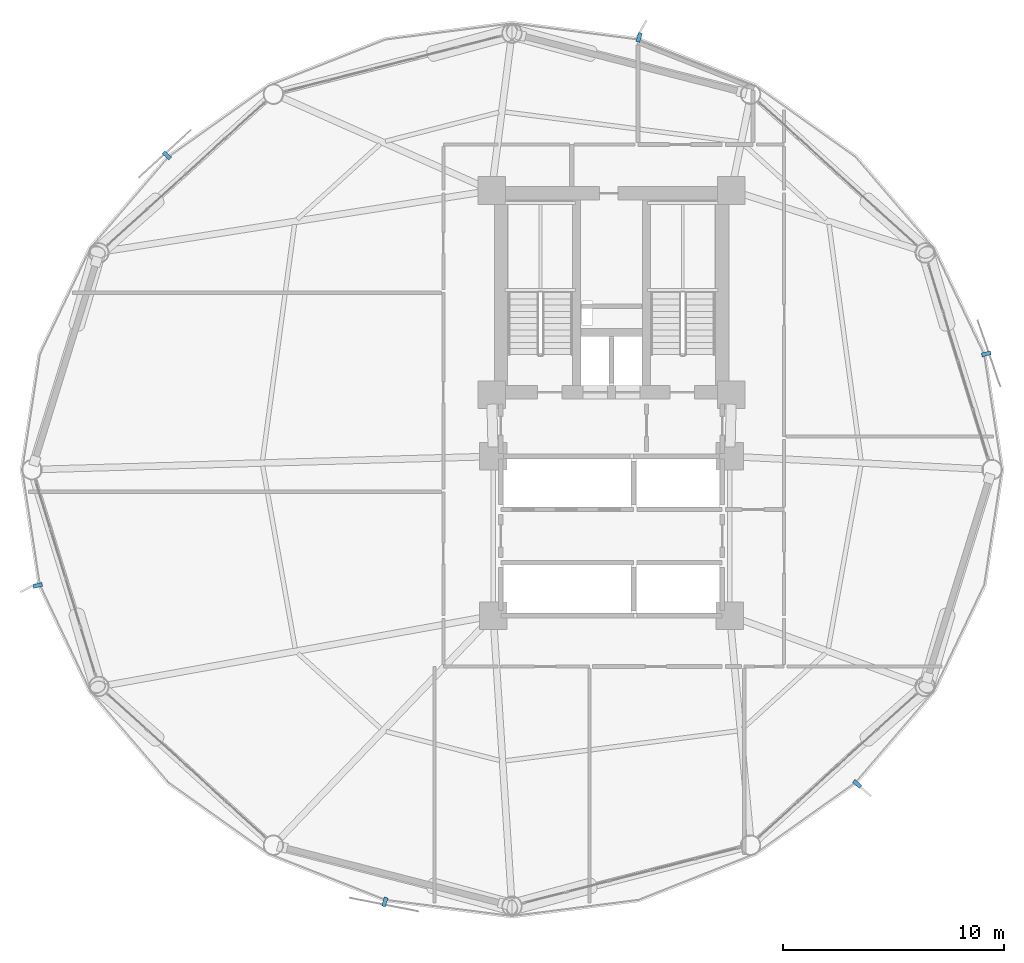
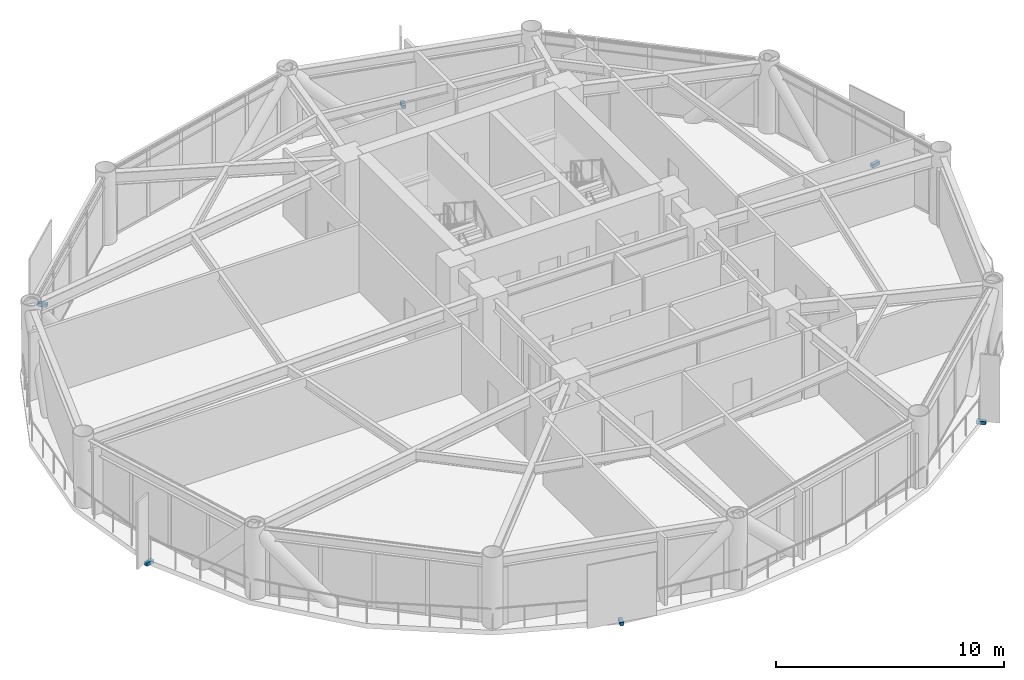
# One storey, part 22 of 25: 6 discrete accessories.
"""IFC4 building model written with IfcOpenShell, lengths in metres."""

import ifcopenshell
import ifcopenshell.guid

model = None  # the IFC model being written
_history = None  # IfcOwnerHistory: only IFC2X3 demands one
_inside = {}  # id of a spatial element -> (the spatial element, [elements in it])
_under = {}  # id of a project, library or spatial element -> (it, [spatial elements below it])
_declared = {}  # id of a project -> (the project, [libraries it declares])
_typed = {}  # id of a type object -> (the type object, [elements of that type])
_made_of = {}  # id of a material, layer set ... -> (it, [elements and type objects made of it])


def new_model(schema):
    """Start an empty IFC model of exactly this schema.

    Asked for "IFC4X3", IfcOpenShell would pick the latest addendum, in which some entities
    have other attributes; the version numbers below select the first issue.
    IFC2X3 requires an IfcOwnerHistory on every rooted entity: one is made here for all.
    """
    global model, _history
    if schema == "IFC4X3":
        model = ifcopenshell.file(schema_version=(4, 3, 0, 0))
    else:
        model = ifcopenshell.file(schema=schema)
    _inside.clear()
    _under.clear()
    _declared.clear()
    _typed.clear()
    _made_of.clear()
    _history = None
    if model.schema == "IFC2X3":
        org = make("IfcOrganization", Name="unknown")
        user = make(
            "IfcPersonAndOrganization",
            ThePerson=make("IfcPerson", FamilyName="unknown"),
            TheOrganization=org,
        )
        app = make(
            "IfcApplication",
            ApplicationDeveloper=org,
            Version="unknown",
            ApplicationFullName="unknown",
            ApplicationIdentifier="unknown",
        )
        _history = make(
            "IfcOwnerHistory",
            OwningUser=user,
            OwningApplication=app,
            ChangeAction="ADDED",
            CreationDate=0,
        )
    return model


def make(cls, **values):
    """One entity of the class cls with the attributes given. An attribute that is None is left unset."""
    return model.create_entity(
        cls, **{name: value for name, value in values.items() if value is not None}
    )


def rooted(cls, **values):
    """An entity with a GlobalId (a new one), such as an element, a storey or a relation."""
    return make(cls, GlobalId=ifcopenshell.guid.new(), OwnerHistory=_history, **values)


def si_unit(unit_type, name, prefix=None):
    """IfcSIUnit, for example si_unit("LENGTHUNIT", "METRE", prefix="MILLI")."""
    return make("IfcSIUnit", UnitType=unit_type, Prefix=prefix, Name=name)


def assignment(units):
    """IfcUnitAssignment: the units of a project."""
    return None if units is None else make("IfcUnitAssignment", Units=units)


def point(xyz):
    """IfcCartesianPoint."""
    return None if xyz is None else make("IfcCartesianPoint", Coordinates=xyz)


def direction(xyz):
    """IfcDirection."""
    return None if xyz is None else make("IfcDirection", DirectionRatios=xyz)


def frame(location, z_axis=None, x_axis=None):
    """IfcAxis2Placement3D, a coordinate frame: its origin and axes. An axis left out is left unset."""
    return make(
        "IfcAxis2Placement3D",
        Location=point(location),
        Axis=direction(z_axis),
        RefDirection=direction(x_axis),
    )


def frame_2d(location, x_axis=None):
    """IfcAxis2Placement2D, a coordinate frame in the plane: its origin and x axis."""
    return make(
        "IfcAxis2Placement2D", Location=point(location), RefDirection=direction(x_axis)
    )


def origin():
    """The frame at (0, 0, 0) with its axes left unset."""
    return frame((0.0, 0.0, 0.0))


def origin_2d():
    """The frame at (0, 0) in the plane with its x axis left unset."""
    return frame_2d((0.0, 0.0))


def place(relative_to, where):
    """IfcLocalPlacement: puts the frame where relative to a parent placement (None: the world)."""
    return make(
        "IfcLocalPlacement", PlacementRelTo=relative_to, RelativePlacement=where
    )


def context(
    kind, dimensions, precision=None, world=None, true_north=None, identifier=None
):
    """IfcGeometricRepresentationContext, for example the 3D "Model" context."""
    return make(
        "IfcGeometricRepresentationContext",
        ContextIdentifier=identifier,
        ContextType=kind,
        CoordinateSpaceDimension=dimensions,
        Precision=precision,
        WorldCoordinateSystem=world,
        TrueNorth=true_north,
    )


def subcontext(parent, identifier, kind, view, scale=None):
    """IfcGeometricRepresentationSubContext, for example "Body" below "Model"."""
    return make(
        "IfcGeometricRepresentationSubContext",
        ContextIdentifier=identifier,
        ContextType=kind,
        ParentContext=parent,
        TargetScale=scale,
        TargetView=view,
    )


def project(units=None, contexts=None):
    """IfcProject with its units and contexts."""
    return rooted(
        "IfcProject",
        Name="project",
        RepresentationContexts=contexts,
        UnitsInContext=assignment(units),
    )


def spatial(cls, under=None, at=None, **own):
    """A site, building, storey or space (cls), placed at a placement, below another one or the project."""
    s = rooted(cls, ObjectPlacement=at, **own)
    if under is not None:
        _under.setdefault(under.id(), (under, []))[1].append(s)
    return s


def profile(cls, at=None, kind="AREA", **sizes):
    """A parametric profile (cls). Its sizes go by their IFC names, for example OverallWidth=200.0."""
    return make(cls, ProfileType=kind, Position=at, **sizes)


def rectangle(**sizes):
    """IfcRectangleProfileDef."""
    return profile("IfcRectangleProfileDef", **sizes)


def extrude(swept, where, along, depth):
    """IfcExtrudedAreaSolid: the profile swept, set in the frame where, extruded along a direction by depth."""
    return make(
        "IfcExtrudedAreaSolid",
        SweptArea=swept,
        Position=where,
        ExtrudedDirection=direction(along),
        Depth=depth,
    )


def shape(context_of_items, identifier, shape_type, items):
    """IfcShapeRepresentation: the items that make up one representation, for example the "Body"."""
    return make(
        "IfcShapeRepresentation",
        ContextOfItems=context_of_items,
        RepresentationIdentifier=identifier,
        RepresentationType=shape_type,
        Items=items,
    )


def source(mapping_origin, context_of_items, identifier, shape_type, items):
    """IfcRepresentationMap: a shape defined once, which mapped items show again and again."""
    return make(
        "IfcRepresentationMap",
        MappingOrigin=mapping_origin,
        MappedRepresentation=shape(context_of_items, identifier, shape_type, items),
    )


def transform(
    local_origin,
    x_axis=None,
    y_axis=None,
    z_axis=None,
    scale=None,
    scale2=None,
    scale3=None,
    uniform=True,
):
    """IfcCartesianTransformationOperator3D, or its non-uniform kind. x_axis, y_axis, z_axis: its Axis1, 2, 3."""
    if uniform:
        return make(
            "IfcCartesianTransformationOperator3D",
            Axis1=direction(x_axis),
            Axis2=direction(y_axis),
            LocalOrigin=point(local_origin),
            Scale=scale,
            Axis3=direction(z_axis),
        )
    return make(
        "IfcCartesianTransformationOperator3DnonUniform",
        Axis1=direction(x_axis),
        Axis2=direction(y_axis),
        LocalOrigin=point(local_origin),
        Scale=scale,
        Axis3=direction(z_axis),
        Scale2=scale2,
        Scale3=scale3,
    )


def mapped(mapping_source, mapping_target):
    """IfcMappedItem: shows the shape of a source again, moved by a transform."""
    return make(
        "IfcMappedItem", MappingSource=mapping_source, MappingTarget=mapping_target
    )


def material(Name=None, Category=None):
    """IfcMaterial."""
    return make("IfcMaterial", Name=Name, Category=Category)


def made_of(thing, what):
    """Note that an element or type object is made of a material, layer set ...; save() writes the relation."""
    if what is not None:
        _made_of.setdefault(what.id(), (what, []))[1].append(thing)
    return thing


def type_object(cls, material=None, **own):
    """A type object (cls), such as IfcWallType, which elements share."""
    return made_of(rooted(cls, **own), material)


def type_shapes(of_type, sources):
    """Give a type object the sources (RepresentationMaps) that its elements show as mapped items."""
    of_type.RepresentationMaps = sources


def element(
    cls,
    number,
    at=None,
    inside=None,
    cuts=None,
    type_object=None,
    material=None,
    context=None,
    identifier="Body",
    shape_type=None,
    held_by="IfcProductDefinitionShape",
    body=None,
    shapes=None,
    **own,
):
    """One element of the class cls, such as IfcWall. Its Tag is "e" and its number.

    at: its placement. inside: the storey or other place that contains it. cuts: it is an
    opening in that element (IfcRelVoidsElement). A single representation is given by context,
    identifier, shape_type and body (its items); several are given by shapes. held_by: the class
    of the entity that holds the representations. save() writes the other relations.
    """
    e = rooted(cls, Tag="e%d" % number, ObjectPlacement=at, **own)
    if body is not None:
        shapes = [shape(context, identifier, shape_type, body)]
    if shapes is not None:
        e.Representation = make(held_by, Representations=shapes)
    if inside is not None:
        _inside.setdefault(inside.id(), (inside, []))[1].append(e)
    if cuts is not None:
        rooted(
            "IfcRelVoidsElement", RelatingBuildingElement=cuts, RelatedOpeningElement=e
        )
    if type_object is not None:
        _typed.setdefault(type_object.id(), (type_object, []))[1].append(e)
    return made_of(e, material)


def aggregate(whole, parts):
    """IfcRelAggregates: a whole, such as a stair, and the parts it consists of."""
    return rooted("IfcRelAggregates", RelatingObject=whole, RelatedObjects=parts)


def save(model, path):
    """Write the relations noted so far, then the file.

    IfcRelAggregates (storeys below a building ...), IfcRelContainedInSpatialStructure (elements
    in a storey), IfcRelDefinesByType, IfcRelAssociatesMaterial and IfcRelDeclares: one each for
    every whole, place, type object, material and project.
    """
    for whole, parts in _under.values():
        aggregate(whole, parts)
    for where, things in _inside.values():
        rooted(
            "IfcRelContainedInSpatialStructure",
            RelatedElements=things,
            RelatingStructure=where,
        )
    for kind, things in _typed.values():
        rooted("IfcRelDefinesByType", RelatedObjects=things, RelatingType=kind)
    for what, things in _made_of.values():
        rooted("IfcRelAssociatesMaterial", RelatedObjects=things, RelatingMaterial=what)
    for by, libraries in _declared.values():
        rooted("IfcRelDeclares", RelatingContext=by, RelatedDefinitions=libraries)
    model.write(path)


model = new_model("IFC4")

# Units and contexts
model_context = context("Model", 3, precision=1e-05, world=origin(), true_north=direction((0.0, 1.0)))
body_context = subcontext(model_context, "Body", "Model", "MODEL_VIEW")
ifc_project = project(units=[si_unit("LENGTHUNIT", "METRE"), si_unit("AREAUNIT", "SQUARE_METRE"), si_unit("VOLUMEUNIT", "CUBIC_METRE"), si_unit("PLANEANGLEUNIT", "RADIAN"), si_unit("MASSUNIT", "GRAM", prefix="KILO")], contexts=[model_context])

# Site, building, storey
site_placement = place(None, origin())
site = spatial("IfcSite", under=ifc_project, at=site_placement, CompositionType="ELEMENT")
building_placement = place(site_placement, origin())
building = spatial("IfcBuilding", under=site, at=building_placement, Name="Varnakorn Sky Granary", CompositionType="ELEMENT")
storey_placement = place(building_placement, frame((0.0, 0.0, 70.5)))
storey = spatial("IfcBuildingStorey", under=building, at=storey_placement, Name="L17", CompositionType="ELEMENT", Elevation=70.5)

# Discrete accessories
ifc_material = material(Name="Steel S355JR", Category="steel")
discrete_accessory_type = type_object("IfcDiscreteAccessoryType", Name="AC-BRK-01", PredefinedType="BRACKET", material=ifc_material)
shared_shape = source(origin(), body_context, "Body", "SweptSolid", [
    extrude(rectangle(XDim=0.179931640625, YDim=0.419921875, at=origin_2d()), origin(), (0.0, 0.0, 1.0), 0.179931640625),
])
type_shapes(discrete_accessory_type, [shared_shape])
for number, where, z_axis, x_axis, name in (
    (1, (19.943359375, 5.234375, -0.2001953125), (0.0, 0.0, 1.0), (-0.237139583844, 0.971475587843, 0.0), "Facade Solar-Screen Outrigger Bracket L17-01"),
    (2, (4.248291015625, 19.543701171875, -0.2001953125), (0.0, 0.0, 1.0), (-0.959362749517, 0.282175680808, 0.0), "Facade Solar-Screen Outrigger Bracket L17-03"),
    (3, (-17.10546875, 14.2080078125, -0.2001953125), (0.0, 0.0, 1.0), (-0.673223605198, -0.739438961243, 0.0), "Facade Solar-Screen Outrigger Bracket L17-05"),
    (4, (-22.943359375, -5.234375, -0.2001953125), (0.0, 0.0, 1.0), (0.237139583844, -0.971475587843, 0.0), "Facade Solar-Screen Outrigger Bracket L17-07"),
    (5, (-7.248291015625, -19.543701171875, -0.2001953125), (0.0, 0.0, 1.0), (0.959362749517, -0.282175680808, 0.0), "Facade Solar-Screen Outrigger Bracket L17-09"),
    (6, (14.10546875, -14.2080078125, -0.2001953125), (0.0, 0.0, 1.0), (0.673223605198, 0.739438961243, 0.0), "Facade Solar-Screen Outrigger Bracket L17-11"),
):
    element("IfcDiscreteAccessory", number, at=place(storey_placement, frame(where, z_axis=z_axis, x_axis=x_axis)), inside=storey, type_object=discrete_accessory_type, Name=name, PredefinedType="BRACKET", context=body_context, shape_type="MappedRepresentation", body=[
        mapped(shared_shape, transform((0.0, 0.0, 0.0), x_axis=(1.0, 0.0, 0.0), y_axis=(0.0, 1.0, 0.0), z_axis=(0.0, 0.0, 1.0), scale=1.0)),
    ])

save(model, "model.ifc")
